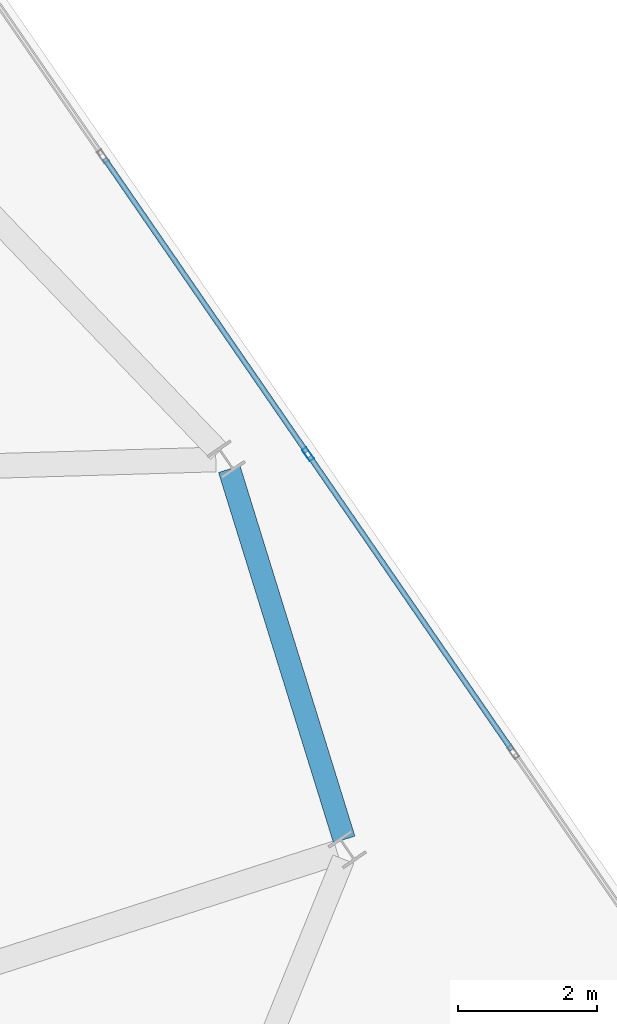
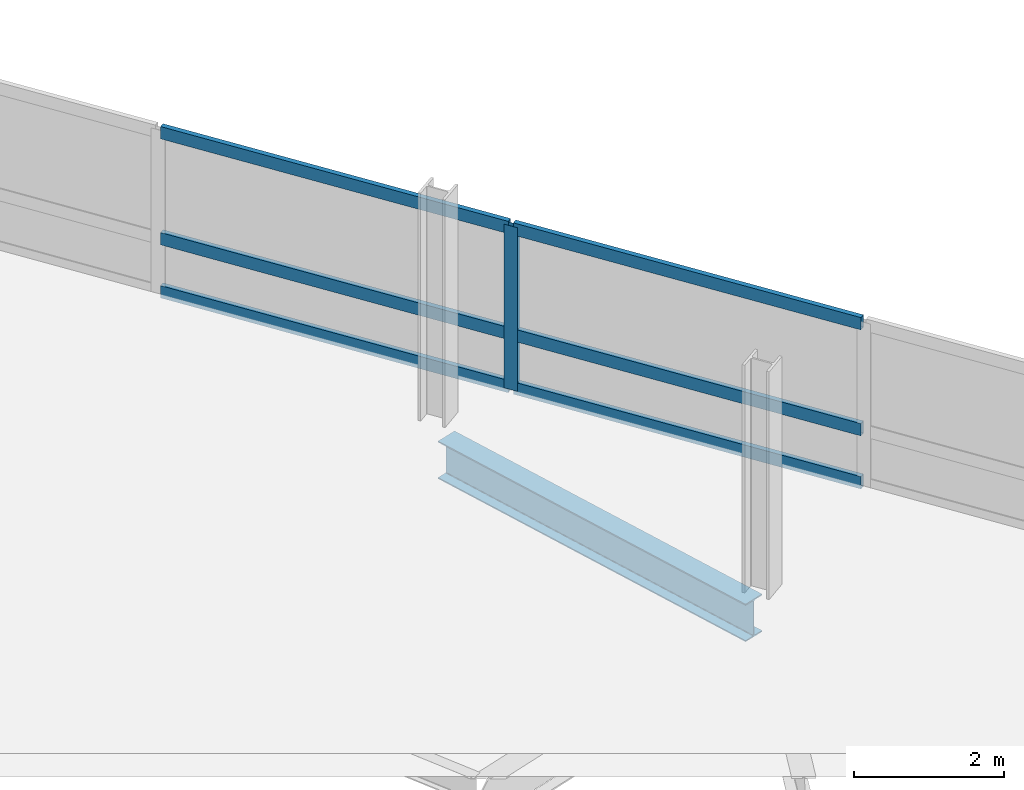
# One storey, part 14 of 23: 7 members, 1 beam, 1 element without a shape of its own.
"""IFC4 building model written with IfcOpenShell, lengths in metres."""

from ifc_helpers import new_model, si_unit, direction, frame, origin, origin_2d, place, context, subcontext, project, spatial, hollow_rectangle, i_section, extrude, material, layer, layer_set, material_profile, profile_set, type_object, element, aggregate, save


model = new_model("IFC4")

# Units and contexts
model_context = context("Model", 3, precision=1e-05, world=origin(), true_north=direction((0.0, 1.0)))
body_context = subcontext(model_context, "Body", "Model", "MODEL_VIEW")
ifc_project = project(units=[si_unit("LENGTHUNIT", "METRE"), si_unit("AREAUNIT", "SQUARE_METRE"), si_unit("VOLUMEUNIT", "CUBIC_METRE"), si_unit("PLANEANGLEUNIT", "RADIAN"), si_unit("MASSUNIT", "GRAM", prefix="KILO")], contexts=[model_context])

# Site, building, storey
site_placement = place(None, origin())
site = spatial("IfcSite", under=ifc_project, at=site_placement, CompositionType="ELEMENT")
building_placement = place(site_placement, origin())
building = spatial("IfcBuilding", under=site, at=building_placement, Name="Varnelok Gate Tower", CompositionType="ELEMENT")
storey_placement = place(building_placement, frame((0.0, 0.0, 287.800048828125)))
storey = spatial("IfcBuildingStorey", under=building, at=storey_placement, Name="L74", CompositionType="ELEMENT", Elevation=287.800048828125)

# Beam
ifc_material_1 = material(Name="Structural Steel ASTM A992 Grade 50", Category="steel")
ifc_material_profile_1 = material_profile(ifc_material_1, i_section(OverallWidth=0.323974609375, OverallDepth=0.611083984375, WebThickness=0.0126953125, FlangeThickness=0.01904296875, FilletRadius=0.01806640625, at=origin_2d()), Name="W24X104")
ifc_profile_set_1 = profile_set([ifc_material_profile_1], Name="Structural Steel ASTM A992 Grade 50")
beam_type = type_object("IfcBeamType", Name="BM-SPN-W24X104", PredefinedType="SPANDREL", material=ifc_profile_set_1)
beam_placement = place(storey_placement, frame((69.8125, 34.1748046875, -0.5556640625), z_axis=(-0.296340003452, 0.955082510757, 0.0), x_axis=(-0.955082510757, -0.296340003452, 0.0)))
element("IfcBeam", 1, at=beam_placement, inside=storey, type_object=beam_type, Name="L74 Perimeter Spandrel Beam 6", PredefinedType="SPANDREL", context=body_context, shape_type="SweptSolid", body=[
    extrude(i_section(OverallWidth=0.323974609375, OverallDepth=0.611083984375, WebThickness=0.0126953125, FlangeThickness=0.01904296875, FilletRadius=0.01806640625, at=origin_2d()), origin(), (0.0, 0.0, 1.0), 5.57666015625),
])

# Curtain wall, members
ifc_material_2 = material(Name="Anodized Aluminum Alloy 6063-T6", Category="aluminium")
ifc_layer = layer(ifc_material_2, 0.179931640625)
ifc_layer_set = layer_set([ifc_layer], Name="Anodized Aluminum Alloy 6063-T6")
curtain_wall_type = type_object("IfcCurtainWallType", Name="CW6-CROWN-LOOKOUT", PredefinedType="USERDEFINED", material=ifc_layer_set)
curtain_wall_placement = place(storey_placement, origin())
curtain_wall = element("IfcCurtainWall", 2, at=curtain_wall_placement, inside=storey, type_object=curtain_wall_type, Name="L74 East End Vision Curtain Wall", ObjectType="STRUCTURAL GLAZING", PredefinedType="USERDEFINED")
ifc_material_profile_2 = material_profile(ifc_material_2, hollow_rectangle(XDim=0.074951171875, YDim=0.199951171875, WallThickness=0.00390625, at=origin_2d()), Name="ALU200X75X4")
ifc_profile_set_2 = profile_set([ifc_material_profile_2], Name="Anodized Aluminum Alloy 6063-T6")
member_type_1 = type_object("IfcMemberType", Name="CW-MULL-200", PredefinedType="MULLION", material=ifc_profile_set_2)
member_1_placement = place(storey_placement, frame((69.29345703125, 39.71484375, 0.0), z_axis=(0.0, 0.0, 1.0), x_axis=(0.823532290241, 0.567269395376, 0.0)))
member_1 = element("IfcMember", 3, at=member_1_placement, type_object=member_type_1, Name="CW6 mullion 5", PredefinedType="MULLION", context=body_context, shape_type="SweptSolid", body=[
    extrude(hollow_rectangle(XDim=0.074951171875, YDim=0.199951171875, WallThickness=0.00390625, at=origin_2d()), origin(), (0.0, 0.0, 1.0), 2.659912109375),
])
ifc_material_profile_3 = material_profile(ifc_material_2, hollow_rectangle(XDim=0.074951171875, YDim=0.199951171875, WallThickness=0.00390625, at=origin_2d()), Name="ALU200X75X4")
ifc_profile_set_3 = profile_set([ifc_material_profile_3], Name="Anodized Aluminum Alloy 6063-T6")
member_type_2 = type_object("IfcMemberType", Name="CW-TRAN-200", PredefinedType="USERDEFINED", material=ifc_profile_set_3)
member_2_placement = place(storey_placement, frame((66.364990234375, 43.96630859375, 0.037353515625), z_axis=(0.567256418128, -0.82354122914, 0.0), x_axis=(0.82354122914, 0.567256418128, 0.0)))
member_2 = element("IfcMember", 4, at=member_2_placement, type_object=member_type_2, Name="CW6 transom 4.1", ObjectType="TRANSOM", PredefinedType="USERDEFINED", context=body_context, shape_type="SweptSolid", body=[
    extrude(hollow_rectangle(XDim=0.074951171875, YDim=0.199951171875, WallThickness=0.00390625, at=origin_2d()), origin(), (0.0, 0.0, 1.0), 5.125),
])
member_3_placement = place(storey_placement, frame((66.364990234375, 43.96630859375, 0.89990234375), z_axis=(0.567256418128, -0.82354122914, 0.0), x_axis=(0.82354122914, 0.567256418128, 0.0)))
member_3 = element("IfcMember", 5, at=member_3_placement, type_object=member_type_2, Name="CW6 transom 4.2", ObjectType="TRANSOM", PredefinedType="USERDEFINED", context=body_context, shape_type="SweptSolid", body=[
    extrude(hollow_rectangle(XDim=0.074951171875, YDim=0.199951171875, WallThickness=0.00390625, at=origin_2d()), origin(), (0.0, 0.0, 1.0), 5.125),
])
member_4_placement = place(storey_placement, frame((66.364990234375, 43.96630859375, 2.62255859375), z_axis=(0.567256418128, -0.82354122914, 0.0), x_axis=(0.82354122914, 0.567256418128, 0.0)))
member_4 = element("IfcMember", 6, at=member_4_placement, type_object=member_type_2, Name="CW6 transom 4.3", ObjectType="TRANSOM", PredefinedType="USERDEFINED", context=body_context, shape_type="SweptSolid", body=[
    extrude(hollow_rectangle(XDim=0.074951171875, YDim=0.199951171875, WallThickness=0.00390625, at=origin_2d()), origin(), (0.0, 0.0, 1.0), 5.125),
])
member_5_placement = place(storey_placement, frame((69.314697265625, 39.683837890625, 0.037353515625), z_axis=(0.567278672654, -0.823525899746, 0.0), x_axis=(0.823525899746, 0.567278672654, 0.0)))
member_5 = element("IfcMember", 7, at=member_5_placement, type_object=member_type_2, Name="CW6 transom 5.1", ObjectType="TRANSOM", PredefinedType="USERDEFINED", context=body_context, shape_type="SweptSolid", body=[
    extrude(hollow_rectangle(XDim=0.074951171875, YDim=0.199951171875, WallThickness=0.00390625, at=origin_2d()), origin(), (0.0, 0.0, 1.0), 5.124755859375),
])
member_6_placement = place(storey_placement, frame((69.314697265625, 39.683837890625, 0.89990234375), z_axis=(0.567278672654, -0.823525899746, 0.0), x_axis=(0.823525899746, 0.567278672654, 0.0)))
member_6 = element("IfcMember", 8, at=member_6_placement, type_object=member_type_2, Name="CW6 transom 5.2", ObjectType="TRANSOM", PredefinedType="USERDEFINED", context=body_context, shape_type="SweptSolid", body=[
    extrude(hollow_rectangle(XDim=0.074951171875, YDim=0.199951171875, WallThickness=0.00390625, at=origin_2d()), origin(), (0.0, 0.0, 1.0), 5.124755859375),
])
member_7_placement = place(storey_placement, frame((69.314697265625, 39.683837890625, 2.62255859375), z_axis=(0.567278672654, -0.823525899746, 0.0), x_axis=(0.823525899746, 0.567278672654, 0.0)))
member_7 = element("IfcMember", 9, at=member_7_placement, type_object=member_type_2, Name="CW6 transom 5.3", ObjectType="TRANSOM", PredefinedType="USERDEFINED", context=body_context, shape_type="SweptSolid", body=[
    extrude(hollow_rectangle(XDim=0.074951171875, YDim=0.199951171875, WallThickness=0.00390625, at=origin_2d()), origin(), (0.0, 0.0, 1.0), 5.124755859375),
])
aggregate(curtain_wall, [member_1, member_2, member_3, member_4, member_5, member_6, member_7])

save(model, "model.ifc")
